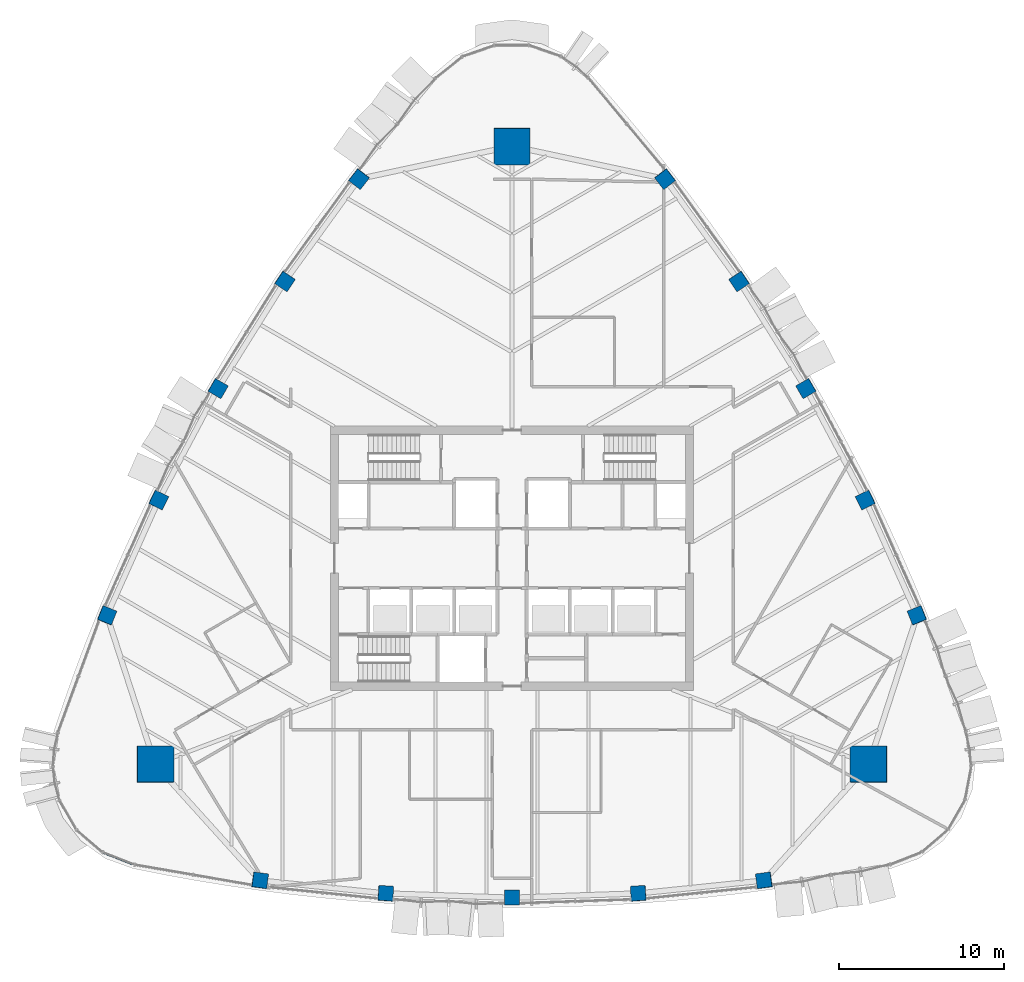
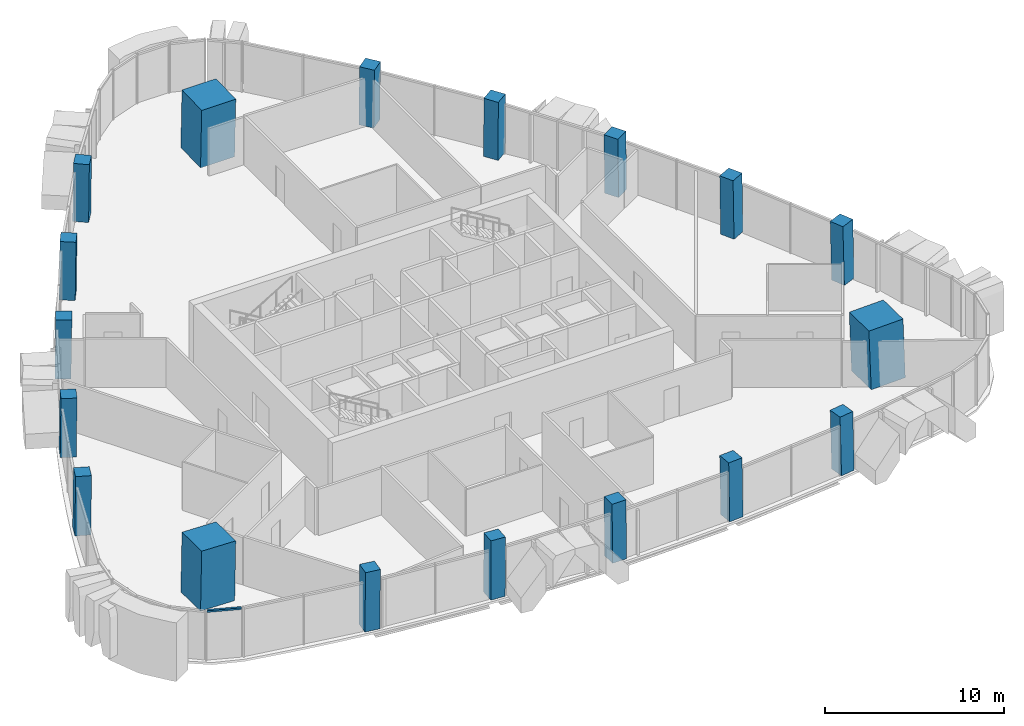
# One storey, part 1 of 18: 18 columns, 1 member, 1 element without a shape of its own.
"""IFC4 building model written with IfcOpenShell, lengths in metres."""

from ifc_helpers import new_model, si_unit, direction, frame, origin, origin_2d, place, context, subcontext, project, spatial, rectangle, extrude, material, layer, layer_set, material_profile, profile_set, type_object, element, aggregate, save


model = new_model("IFC4")

# Units and contexts
model_context = context("Model", 3, precision=1e-05, world=origin(), true_north=direction((0.0, 1.0)))
body_context = subcontext(model_context, "Body", "Model", "MODEL_VIEW")
ifc_project = project(units=[si_unit("LENGTHUNIT", "METRE"), si_unit("AREAUNIT", "SQUARE_METRE"), si_unit("VOLUMEUNIT", "CUBIC_METRE"), si_unit("PLANEANGLEUNIT", "RADIAN"), si_unit("MASSUNIT", "GRAM", prefix="KILO")], contexts=[model_context])

# Site, building, storey
site_placement = place(None, origin())
site = spatial("IfcSite", under=ifc_project, at=site_placement, CompositionType="ELEMENT")
building_placement = place(site_placement, origin())
building = spatial("IfcBuilding", under=site, at=building_placement, Name="Sierra Prisma Convention Tower", CompositionType="ELEMENT")
storey_placement = place(building_placement, frame((0.0, 0.0, 255.0)))
storey = spatial("IfcBuildingStorey", under=building, at=storey_placement, Name="L57", CompositionType="ELEMENT", Elevation=255.0)

# Columns
ifc_material_1 = material(Name="Concrete C50/60", Category="concrete")
ifc_material_profile_1 = material_profile(ifc_material_1, rectangle(XDim=2.199951171875, YDim=2.199951171875, at=origin_2d()), Name="Mega column RC 2200 C50/60")
ifc_profile_set_1 = profile_set([ifc_material_profile_1], Name="Concrete C50/60")
column_type_1 = type_object("IfcColumnType", Name="Mega column RC 2200 C50/60", PredefinedType="COLUMN", material=ifc_profile_set_1)
for number, where, z_axis, x_axis, name in (
    (1, (21.623291015625, -12.484130859375, 0.0), (-0.027878633223, 0.016043939908, 0.999482553025), (0.999611315367, 0.000447457036, 0.02787504211), "Mega column SE L57"),
    (2, (0.0, 24.96826171875, 0.0), (0.0, -0.032148900677, 0.999483090495), (1.0, 0.0, 0.0), "Mega column N L57"),
    (3, (-21.623291015625, -12.484130859375, 0.0), (0.027878633223, 0.016043939908, 0.999482553025), (0.999611315367, -0.000447457036, -0.02787504211), "Mega column SW L57"),
):
    element("IfcColumn", number, at=place(storey_placement, frame(where, z_axis=z_axis, x_axis=x_axis)), inside=storey, type_object=column_type_1, Name=name, PredefinedType="COLUMN", context=body_context, shape_type="SweptSolid", body=[
        extrude(rectangle(XDim=2.199951171875, YDim=2.199951171875, at=origin_2d()), origin(), (0.0, 0.0, 1.0), 4.001953125),
    ])
ifc_material_2 = material(Name="Concrete C50/60", Category="concrete")
ifc_material_profile_2 = material_profile(ifc_material_2, rectangle(XDim=0.89990234375, YDim=0.89990234375, at=origin_2d()), Name="Perimeter column RC 900 C50/60")
ifc_profile_set_2 = profile_set([ifc_material_profile_2], Name="Concrete C50/60")
column_type_2 = type_object("IfcColumnType", Name="Perimeter column RC 900 C50/60", PredefinedType="COLUMN", material=ifc_profile_set_2)
column_1_placement = place(storey_placement, frame((-15.27099609375, -19.52197265625, 0.0), z_axis=(0.017513460473, 0.010373826761, 0.999792809746), x_axis=(-0.990498056196, 0.13660062704, 0.015933278536)))
element("IfcColumn", 4, at=column_1_placement, inside=storey, type_object=column_type_2, Name="Perimeter column S-1 L57", PredefinedType="COLUMN", context=body_context, shape_type="SweptSolid", body=[
    extrude(rectangle(XDim=0.89990234375, YDim=0.89990234375, at=origin_2d()), origin(), (0.0, 0.0, 1.0), 4.000732421875),
])
column_2_placement = place(storey_placement, frame((-7.6533203125, -20.306640625, 0.0), z_axis=(0.008727150594, 0.011168311599, 0.999899547784), x_axis=(-0.9976217671, 0.068466969999, 0.007942532787)))
element("IfcColumn", 5, at=column_2_placement, inside=storey, type_object=column_type_2, Name="Perimeter column S-2 L57", PredefinedType="COLUMN", context=body_context, shape_type="SweptSolid", body=[
    extrude(rectangle(XDim=0.89990234375, YDim=0.89990234375, at=origin_2d()), origin(), (0.0, 0.0, 1.0), 4.00048828125),
])
column_3_placement = place(storey_placement, frame((0.0, -20.568603515625, 0.0), z_axis=(0.0, 0.01141283087, 0.999934871525), x_axis=(1.0, 0.0, 0.0)))
element("IfcColumn", 6, at=column_3_placement, inside=storey, type_object=column_type_2, Name="Perimeter column S-3 L57", PredefinedType="COLUMN", context=body_context, shape_type="SweptSolid", body=[
    extrude(rectangle(XDim=0.89990234375, YDim=0.89990234375, at=origin_2d()), origin(), (0.0, 0.0, 1.0), 4.000244140625),
])
column_4_placement = place(storey_placement, frame((7.6533203125, -20.306640625, 0.0), z_axis=(-0.008727150594, 0.011168311599, 0.999899547784), x_axis=(0.9976217671, 0.068466969999, 0.007942532787)))
element("IfcColumn", 7, at=column_4_placement, inside=storey, type_object=column_type_2, Name="Perimeter column S-4 L57", PredefinedType="COLUMN", context=body_context, shape_type="SweptSolid", body=[
    extrude(rectangle(XDim=0.89990234375, YDim=0.89990234375, at=origin_2d()), origin(), (0.0, 0.0, 1.0), 4.00048828125),
])
for number, where, z_axis, x_axis, name in (
    (8, (15.27099609375, -19.52197265625, 0.0), (-0.017513460473, 0.010373826761, 0.999792809746), (0.990498056196, 0.13660062704, 0.015933278536), "Perimeter column S-5 L57"),
    (9, (24.5419921875, -3.464111328125, 0.0), (-0.017757551143, 0.009946669541, 0.999792845115), (-0.377115446107, 0.926029581095, -0.01591085306), "Perimeter column NE-1 L57"),
):
    element("IfcColumn", number, at=place(storey_placement, frame(where, z_axis=z_axis, x_axis=x_axis)), inside=storey, type_object=column_type_2, Name=name, PredefinedType="COLUMN", context=body_context, shape_type="SweptSolid", body=[
        extrude(rectangle(XDim=0.89990234375, YDim=0.89990234375, at=origin_2d()), origin(), (0.0, 0.0, 1.0), 4.000732421875),
    ])
column_5_placement = place(storey_placement, frame((21.412841796875, 3.525146484375, 0.0), z_axis=(-0.014097691364, 0.002013955909, 0.999898594398), x_axis=(-0.439572578629, 0.898171387712, -0.008006648038)))
element("IfcColumn", 10, at=column_5_placement, inside=storey, type_object=column_type_2, Name="Perimeter column NE-2 L57", PredefinedType="COLUMN", context=body_context, shape_type="SweptSolid", body=[
    extrude(rectangle(XDim=0.89990234375, YDim=0.89990234375, at=origin_2d()), origin(), (0.0, 0.0, 1.0), 4.00048828125),
])
column_6_placement = place(storey_placement, frame((17.81298828125, 10.2841796875, 0.0), z_axis=(-0.00994807791, -0.005675897212, 0.999934407817), x_axis=(-0.499975258324, 0.866039685968, -5.8244404e-05)))
element("IfcColumn", 11, at=column_6_placement, inside=storey, type_object=column_type_2, Name="Perimeter column NE-3 L57", PredefinedType="COLUMN", context=body_context, shape_type="SweptSolid", body=[
    extrude(rectangle(XDim=0.89990234375, YDim=0.89990234375, at=origin_2d()), origin(), (0.0, 0.0, 1.0), 4.000244140625),
])
column_7_placement = place(storey_placement, frame((13.75927734375, 16.781494140625, 0.0), z_axis=(-0.005248490815, -0.013243284963, 0.999898529226), x_axis=(-0.558035807568, 0.829777716306, 0.008060954894)))
element("IfcColumn", 12, at=column_7_placement, inside=storey, type_object=column_type_2, Name="Perimeter column NE-4 L57", PredefinedType="COLUMN", context=body_context, shape_type="SweptSolid", body=[
    extrude(rectangle(XDim=0.89990234375, YDim=0.89990234375, at=origin_2d()), origin(), (0.0, 0.0, 1.0), 4.00048828125),
])
for number, where, z_axis, x_axis, name in (
    (13, (9.27099609375, 22.986083984375, 0.0), (-0.000244089904, -0.020381506962, 0.999792245716), (-0.613475058101, 0.789553090619, 0.015945851565), "Perimeter column NE-5 L57"),
    (14, (-9.27099609375, 22.986083984375, 0.0), (0.000244089904, -0.020381506962, 0.999792245716), (0.613475058101, 0.789553090619, 0.015945851565), "Perimeter column NW-1 L57"),
):
    element("IfcColumn", number, at=place(storey_placement, frame(where, z_axis=z_axis, x_axis=x_axis)), inside=storey, type_object=column_type_2, Name=name, PredefinedType="COLUMN", context=body_context, shape_type="SweptSolid", body=[
        extrude(rectangle(XDim=0.89990234375, YDim=0.89990234375, at=origin_2d()), origin(), (0.0, 0.0, 1.0), 4.000732421875),
    ])
column_8_placement = place(storey_placement, frame((-13.75927734375, 16.781494140625, 0.0), z_axis=(0.005248490815, -0.013243284963, 0.999898529226), x_axis=(0.558035807568, 0.829777716306, 0.008060954894)))
element("IfcColumn", 15, at=column_8_placement, inside=storey, type_object=column_type_2, Name="Perimeter column NW-2 L57", PredefinedType="COLUMN", context=body_context, shape_type="SweptSolid", body=[
    extrude(rectangle(XDim=0.89990234375, YDim=0.89990234375, at=origin_2d()), origin(), (0.0, 0.0, 1.0), 4.00048828125),
])
column_9_placement = place(storey_placement, frame((-17.81298828125, 10.2841796875, 0.0), z_axis=(0.00994807791, -0.005675897212, 0.999934407817), x_axis=(0.499975258324, 0.866039685968, -5.8244404e-05)))
element("IfcColumn", 16, at=column_9_placement, inside=storey, type_object=column_type_2, Name="Perimeter column NW-3 L57", PredefinedType="COLUMN", context=body_context, shape_type="SweptSolid", body=[
    extrude(rectangle(XDim=0.89990234375, YDim=0.89990234375, at=origin_2d()), origin(), (0.0, 0.0, 1.0), 4.000244140625),
])
column_10_placement = place(storey_placement, frame((-21.412841796875, 3.525146484375, 0.0), z_axis=(0.014097691364, 0.002013955909, 0.999898594398), x_axis=(0.439572578629, 0.898171387712, -0.008006648038)))
element("IfcColumn", 17, at=column_10_placement, inside=storey, type_object=column_type_2, Name="Perimeter column NW-4 L57", PredefinedType="COLUMN", context=body_context, shape_type="SweptSolid", body=[
    extrude(rectangle(XDim=0.89990234375, YDim=0.89990234375, at=origin_2d()), origin(), (0.0, 0.0, 1.0), 4.00048828125),
])
column_11_placement = place(storey_placement, frame((-24.5419921875, -3.464111328125, 0.0), z_axis=(0.017757551143, 0.009946669541, 0.999792845115), x_axis=(0.377115446107, 0.926029581095, -0.01591085306)))
element("IfcColumn", 18, at=column_11_placement, inside=storey, type_object=column_type_2, Name="Perimeter column NW-5 L57", PredefinedType="COLUMN", context=body_context, shape_type="SweptSolid", body=[
    extrude(rectangle(XDim=0.89990234375, YDim=0.89990234375, at=origin_2d()), origin(), (0.0, 0.0, 1.0), 4.000732421875),
])

# Curtain wall, member
ifc_material_3 = material(Name="Aluminium and glass curtain wall", Category="aluminium")
ifc_layer = layer(ifc_material_3, 0.179931640625)
ifc_layer_set = layer_set([ifc_layer], Name="CW-1 Plain shaft curtain wall")
curtain_wall_type = type_object("IfcCurtainWallType", Name="CW-1 Plain shaft curtain wall", PredefinedType="NOTDEFINED", material=ifc_layer_set)
curtain_wall_placement = place(storey_placement, origin())
curtain_wall = element("IfcCurtainWall", 19, at=curtain_wall_placement, inside=storey, type_object=curtain_wall_type, Name="CW-1 SW5 L57", PredefinedType="NOTDEFINED")
ifc_material_4 = material(Name="Aluminium 6063-T6 bronze anodised", Category="aluminium")
ifc_material_profile_3 = material_profile(ifc_material_4, rectangle(XDim=0.139892578125, YDim=0.1201171875, at=origin_2d()), Name="ALU TRANSOM 120x140")
ifc_profile_set_3 = profile_set([ifc_material_profile_3], Name="Aluminium 6063-T6 bronze anodised")
member_type = type_object("IfcMemberType", Name="CW transom bronze", PredefinedType="USERDEFINED", material=ifc_profile_set_3)
member_placement = place(storey_placement, frame((-24.76025390625, -17.8271484375, 3.340087890625), z_axis=(0.931014277726, -0.364982759416, 0.0), x_axis=(0.364982759416, 0.931014277726, 0.0)))
member = element("IfcMember", 20, at=member_placement, type_object=member_type, Name="CW-1 transom SW5.1", ObjectType="TRANSOM", PredefinedType="USERDEFINED", context=body_context, shape_type="SweptSolid", body=[
    extrude(rectangle(XDim=0.139892578125, YDim=0.1201171875, at=origin_2d()), origin(), (0.0, 0.0, 1.0), 1.9404296875),
])
aggregate(curtain_wall, [member])

save(model, "model.ifc")
